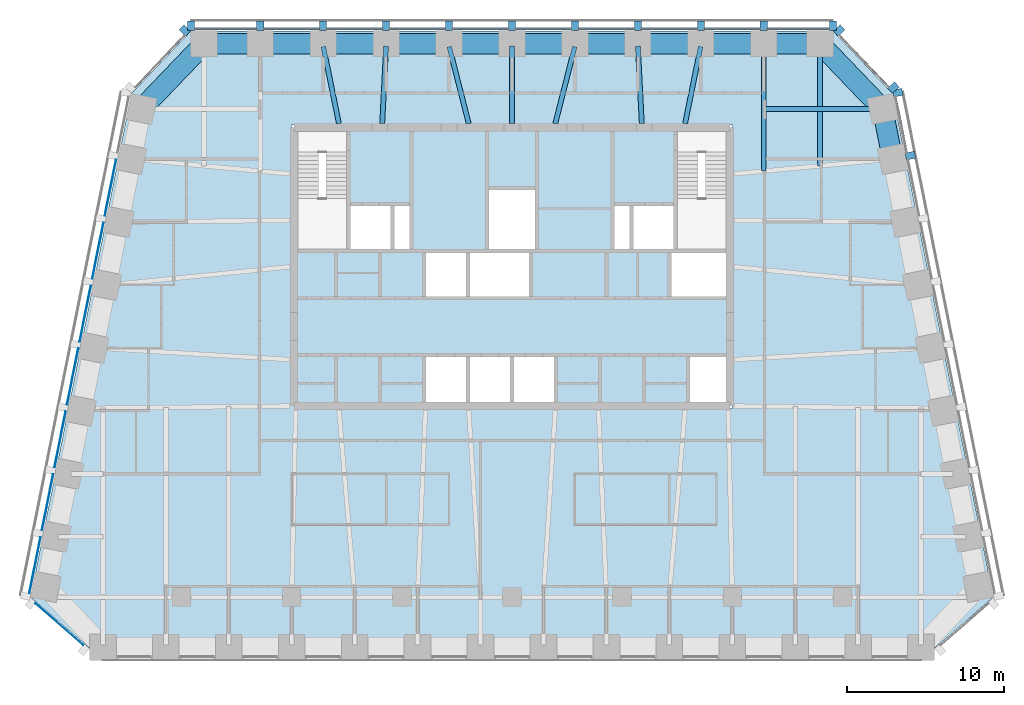
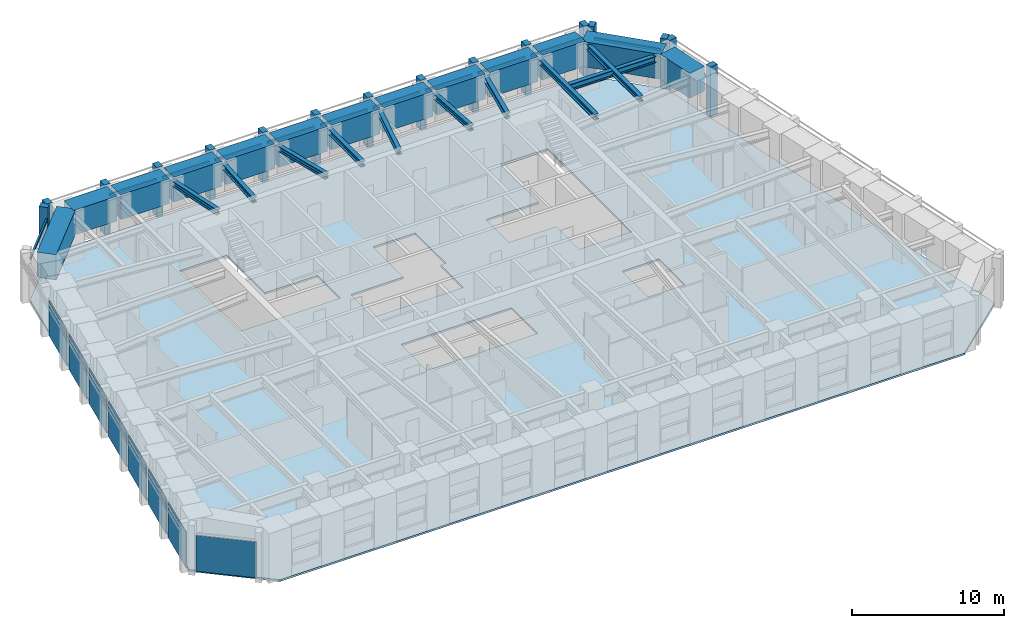
# One storey, part 3 of 11: 29 members, 23 beams, 8 plates, 1 slab, 6 elements without a shape of their own.
"""IFC4 building model written with IfcOpenShell, lengths in metres."""

from ifc_helpers import new_model, si_unit, direction, frame, origin, origin_2d, place, context, subcontext, project, spatial, polyline, rectangle, i_section, outline, extrude, material, layer, layer_set, material_profile, profile_set, type_object, element, aggregate, save


model = new_model("IFC4")

# Units and contexts
model_context = context("Model", 3, precision=1e-05, world=origin(), true_north=direction((0.0, 1.0)))
body_context = subcontext(model_context, "Body", "Model", "MODEL_VIEW")
ifc_project = project(units=[si_unit("LENGTHUNIT", "METRE"), si_unit("AREAUNIT", "SQUARE_METRE"), si_unit("VOLUMEUNIT", "CUBIC_METRE"), si_unit("PLANEANGLEUNIT", "RADIAN"), si_unit("MASSUNIT", "GRAM", prefix="KILO")], contexts=[model_context])

# Site, building, storey
site_placement = place(None, origin())
site = spatial("IfcSite", under=ifc_project, at=site_placement, CompositionType="ELEMENT")
building_placement = place(site_placement, origin())
building = spatial("IfcBuilding", under=site, at=building_placement, Name="Isbrekke Arena Tower", CompositionType="ELEMENT")
storey_placement = place(building_placement, frame((0.0, 0.0, 276.0)))
storey = spatial("IfcBuildingStorey", under=building, at=storey_placement, Name="L64", CompositionType="ELEMENT", Elevation=276.0)

# Beams
ifc_material_1 = material(Name="Steel S355", Category="steel")
ifc_material_profile_1 = material_profile(ifc_material_1, i_section(OverallWidth=0.305908203125, OverallDepth=0.52392578125, WebThickness=0.02099609375, FlangeThickness=0.0400390625, FilletRadius=0.027099609375, at=origin_2d()), Name="HEM 500")
ifc_profile_set_1 = profile_set([ifc_material_profile_1], Name="Steel S355")
beam_type_1 = type_object("IfcBeamType", Name="B5 HEM 500", PredefinedType="BEAM", material=ifc_profile_set_1)
beam_1_placement = place(storey_placement, frame((23.40283203125, 25.029296875, 3.587890625), z_axis=(-1.0, 0.0, 0.0), x_axis=(0.0, -1.0, 0.0)))
element("IfcBeam", 1, at=beam_1_placement, inside=storey, type_object=beam_type_1, Name="B5 beam E-E09 L64", PredefinedType="BEAM", context=body_context, shape_type="SweptSolid", body=[
    extrude(i_section(OverallWidth=0.305908203125, OverallDepth=0.52392578125, WebThickness=0.02099609375, FlangeThickness=0.0400390625, FilletRadius=0.027099609375, at=origin_2d()), origin(), (0.0, 0.0, 1.0), 7.40283203125),
])
ifc_material_2 = material(Name="Steel S355", Category="steel")
ifc_material_profile_2 = material_profile(ifc_material_2, i_section(OverallWidth=0.306884765625, OverallDepth=0.431884765625, WebThickness=0.02099609375, FlangeThickness=0.0400390625, FilletRadius=0.027099609375, at=origin_2d()), Name="HEM 400")
ifc_profile_set_2 = profile_set([ifc_material_profile_2], Name="Steel S355")
beam_type_2 = type_object("IfcBeamType", Name="B6 HEM 400", PredefinedType="BEAM", material=ifc_profile_set_2)
beam_2_placement = place(storey_placement, frame((19.574951171875, 29.02490234375, 3.634033203125), z_axis=(0.0, -1.0, 0.0), x_axis=(1.0, 0.0, 0.0)))
element("IfcBeam", 2, at=beam_2_placement, inside=storey, type_object=beam_type_2, Name="B6 beam N-N01 L64", PredefinedType="BEAM", context=body_context, shape_type="SweptSolid", body=[
    extrude(i_section(OverallWidth=0.306884765625, OverallDepth=0.431884765625, WebThickness=0.02099609375, FlangeThickness=0.0400390625, FilletRadius=0.027099609375, at=origin_2d()), origin(), (0.0, 0.0, 1.0), 7.608154296875),
])
beam_3_placement = place(storey_placement, frame((16.0, 29.02490234375, 3.634033203125), z_axis=(0.0, -1.0, 0.0), x_axis=(1.0, 0.0, 0.0)))
element("IfcBeam", 3, at=beam_3_placement, inside=storey, type_object=beam_type_2, Name="B6 beam N-N02 L64", PredefinedType="BEAM", context=body_context, shape_type="SweptSolid", body=[
    extrude(i_section(OverallWidth=0.306884765625, OverallDepth=0.431884765625, WebThickness=0.02099609375, FlangeThickness=0.0400390625, FilletRadius=0.027099609375, at=origin_2d()), origin(), (0.0, 0.0, 1.0), 7.945556640625),
])
beam_4_placement = place(storey_placement, frame((11.993896484375, 28.9951171875, 3.634033203125), z_axis=(-0.198982177337, -0.980003108721, 0.0), x_axis=(0.980003108721, -0.198982177337, 0.0)))
element("IfcBeam", 4, at=beam_4_placement, inside=storey, type_object=beam_type_2, Name="B6 beam N-N03 L64", PredefinedType="BEAM", context=body_context, shape_type="SweptSolid", body=[
    extrude(i_section(OverallWidth=0.306884765625, OverallDepth=0.431884765625, WebThickness=0.02099609375, FlangeThickness=0.0400390625, FilletRadius=0.027099609375, at=origin_2d()), origin(), (0.0, 0.0, 1.0), 4.994873046875),
])
beam_5_placement = place(storey_placement, frame((8.00048828125, 29.017333984375, 3.634033203125), z_axis=(0.050677067868, -0.998715091902, 0.0), x_axis=(0.998715091902, 0.050677067868, 0.0)))
element("IfcBeam", 5, at=beam_5_placement, inside=storey, type_object=beam_type_2, Name="B6 beam N-N04 L64", PredefinedType="BEAM", context=body_context, shape_type="SweptSolid", body=[
    extrude(i_section(OverallWidth=0.306884765625, OverallDepth=0.431884765625, WebThickness=0.02099609375, FlangeThickness=0.0400390625, FilletRadius=0.027099609375, at=origin_2d()), origin(), (0.0, 0.0, 1.0), 4.923583984375),
])
beam_6_placement = place(storey_placement, frame((3.99072265625, 28.98828125, 3.634033203125), z_axis=(-0.246019579109, -0.969264858898, 0.0), x_axis=(0.969264858898, -0.246019579109, 0.0)))
element("IfcBeam", 6, at=beam_6_placement, inside=storey, type_object=beam_type_2, Name="B6 beam N-N05 L64", PredefinedType="BEAM", context=body_context, shape_type="SweptSolid", body=[
    extrude(i_section(OverallWidth=0.306884765625, OverallDepth=0.431884765625, WebThickness=0.02099609375, FlangeThickness=0.0400390625, FilletRadius=0.027099609375, at=origin_2d()), origin(), (0.0, 0.0, 1.0), 5.043212890625),
])
beam_7_placement = place(storey_placement, frame((0.0, 29.02490234375, 3.634033203125), z_axis=(0.0, -1.0, 0.0), x_axis=(1.0, 0.0, 0.0)))
element("IfcBeam", 7, at=beam_7_placement, inside=storey, type_object=beam_type_2, Name="B6 beam N-N06 L64", PredefinedType="BEAM", context=body_context, shape_type="SweptSolid", body=[
    extrude(i_section(OverallWidth=0.306884765625, OverallDepth=0.431884765625, WebThickness=0.02099609375, FlangeThickness=0.0400390625, FilletRadius=0.027099609375, at=origin_2d()), origin(), (0.0, 0.0, 1.0), 4.9248046875),
])
beam_8_placement = place(storey_placement, frame((-3.99072265625, 28.98828125, 3.634033203125), z_axis=(0.246019579109, -0.969264858898, 0.0), x_axis=(0.969264858898, 0.246019579109, 0.0)))
element("IfcBeam", 8, at=beam_8_placement, inside=storey, type_object=beam_type_2, Name="B6 beam N-N07 L64", PredefinedType="BEAM", context=body_context, shape_type="SweptSolid", body=[
    extrude(i_section(OverallWidth=0.306884765625, OverallDepth=0.431884765625, WebThickness=0.02099609375, FlangeThickness=0.0400390625, FilletRadius=0.027099609375, at=origin_2d()), origin(), (0.0, 0.0, 1.0), 5.043212890625),
])
beam_9_placement = place(storey_placement, frame((-8.00048828125, 29.017333984375, 3.634033203125), z_axis=(-0.050677067868, -0.998715091902, 0.0), x_axis=(0.998715091902, -0.050677067868, 0.0)))
element("IfcBeam", 9, at=beam_9_placement, inside=storey, type_object=beam_type_2, Name="B6 beam N-N08 L64", PredefinedType="BEAM", context=body_context, shape_type="SweptSolid", body=[
    extrude(i_section(OverallWidth=0.306884765625, OverallDepth=0.431884765625, WebThickness=0.02099609375, FlangeThickness=0.0400390625, FilletRadius=0.027099609375, at=origin_2d()), origin(), (0.0, 0.0, 1.0), 4.923583984375),
])
beam_10_placement = place(storey_placement, frame((-11.993896484375, 28.9951171875, 3.634033203125), z_axis=(0.198982177337, -0.980003108721, 0.0), x_axis=(0.980003108721, 0.198982177337, 0.0)))
element("IfcBeam", 10, at=beam_10_placement, inside=storey, type_object=beam_type_2, Name="B6 beam N-N09 L64", PredefinedType="BEAM", context=body_context, shape_type="SweptSolid", body=[
    extrude(i_section(OverallWidth=0.306884765625, OverallDepth=0.431884765625, WebThickness=0.02099609375, FlangeThickness=0.0400390625, FilletRadius=0.027099609375, at=origin_2d()), origin(), (0.0, 0.0, 1.0), 4.994873046875),
])

# Curtain wall, members
ifc_material_3 = material(Name="Glazed aluminium curtain wall", Category="aluminium")
curtain_wall_type = type_object("IfcCurtainWallType", Name="CWT TOWER CURTAIN WALL TOP ZONE", PredefinedType="USERDEFINED", material=ifc_material_3)
curtain_wall_1_placement = place(storey_placement, origin())
curtain_wall_1 = element("IfcCurtainWall", 11, at=curtain_wall_1_placement, inside=storey, type_object=curtain_wall_type, Name="CWT curtain wall L64-E", ObjectType="TOWER CURTAIN WALL TOP ZONE", PredefinedType="USERDEFINED")
ifc_material_4 = material(Name="Copper-clad aluminium mullion", Category="aluminium")
ifc_material_profile_3 = material_profile(ifc_material_4, rectangle(XDim=0.449951171875, YDim=0.60009765625, at=origin_2d()), Name="PIER 450X600")
ifc_profile_set_3 = profile_set([ifc_material_profile_3], Name="Copper-clad aluminium mullion")
member_type_1 = type_object("IfcMemberType", Name="CWT-M PIER MULLION 450 x 600", PredefinedType="MULLION", material=ifc_profile_set_3)
member_1_placement = place(storey_placement, frame((25.318603515625, 22.063720703125, 0.0), z_axis=(0.0, 0.0, 1.0), x_axis=(-0.196116135138, 0.980580675691, 0.0)))
member_1 = element("IfcMember", 12, at=member_1_placement, type_object=member_type_1, Name="CWT-M mullion 8", PredefinedType="MULLION", context=body_context, shape_type="SweptSolid", body=[
    extrude(rectangle(XDim=0.449951171875, YDim=0.60009765625, at=origin_2d()), origin(), (0.0, 0.0, 1.0), 4.0),
])
member_2_placement = place(storey_placement, frame((24.518798828125, 26.063720703125, 0.0), z_axis=(0.0, 0.0, 1.0), x_axis=(-0.196116135138, 0.980580675691, 0.0)))
member_2 = element("IfcMember", 13, at=member_2_placement, type_object=member_type_1, Name="CWT-M mullion 9", PredefinedType="MULLION", context=body_context, shape_type="SweptSolid", body=[
    extrude(rectangle(XDim=0.449951171875, YDim=0.60009765625, at=origin_2d()), origin(), (0.0, 0.0, 1.0), 4.0),
])

curtain_wall_2_placement = place(storey_placement, origin())
curtain_wall_2 = element("IfcCurtainWall", 14, at=curtain_wall_2_placement, inside=storey, type_object=curtain_wall_type, Name="CWT curtain wall L64-EN", ObjectType="TOWER CURTAIN WALL TOP ZONE", PredefinedType="USERDEFINED")
member_3_placement = place(storey_placement, frame((24.244384765625, 26.388671875, 0.0), z_axis=(0.0, 0.0, 1.0), x_axis=(-0.68874946192, 0.72499943359, 0.0)))
member_3 = element("IfcMember", 15, at=member_3_placement, type_object=member_type_1, Name="CWT-M mullion 1", PredefinedType="MULLION", context=body_context, shape_type="SweptSolid", body=[
    extrude(rectangle(XDim=0.449951171875, YDim=0.60009765625, at=origin_2d()), origin(), (0.0, 0.0, 1.0), 4.0),
])
member_4_placement = place(storey_placement, frame((20.795166015625, 30.019775390625, 0.0), z_axis=(0.0, 0.0, 1.0), x_axis=(-0.68874946192, 0.72499943359, 0.0)))
member_4 = element("IfcMember", 16, at=member_4_placement, type_object=member_type_1, Name="CWT-M mullion 2", PredefinedType="MULLION", context=body_context, shape_type="SweptSolid", body=[
    extrude(rectangle(XDim=0.449951171875, YDim=0.60009765625, at=origin_2d()), origin(), (0.0, 0.0, 1.0), 4.0),
])

curtain_wall_3_placement = place(storey_placement, origin())
curtain_wall_3 = element("IfcCurtainWall", 17, at=curtain_wall_3_placement, inside=storey, type_object=curtain_wall_type, Name="CWT curtain wall L64-N", ObjectType="TOWER CURTAIN WALL TOP ZONE", PredefinedType="USERDEFINED")
member_5_placement = place(storey_placement, frame((20.39990234375, 30.324951171875, 0.0), z_axis=(0.0, 0.0, 1.0), x_axis=(-1.0, 0.0, 0.0)))
member_5 = element("IfcMember", 18, at=member_5_placement, type_object=member_type_1, Name="CWT-M mullion 1", PredefinedType="MULLION", context=body_context, shape_type="SweptSolid", body=[
    extrude(rectangle(XDim=0.449951171875, YDim=0.60009765625, at=origin_2d()), origin(), (0.0, 0.0, 1.0), 4.0),
])
member_6_placement = place(storey_placement, frame((16.0, 30.324951171875, 0.0), z_axis=(0.0, 0.0, 1.0), x_axis=(-1.0, 0.0, 0.0)))
member_6 = element("IfcMember", 19, at=member_6_placement, type_object=member_type_1, Name="CWT-M mullion 2", PredefinedType="MULLION", context=body_context, shape_type="SweptSolid", body=[
    extrude(rectangle(XDim=0.449951171875, YDim=0.60009765625, at=origin_2d()), origin(), (0.0, 0.0, 1.0), 4.0),
])
member_7_placement = place(storey_placement, frame((12.0, 30.324951171875, 0.0), z_axis=(0.0, 0.0, 1.0), x_axis=(-1.0, 0.0, 0.0)))
member_7 = element("IfcMember", 20, at=member_7_placement, type_object=member_type_1, Name="CWT-M mullion 3", PredefinedType="MULLION", context=body_context, shape_type="SweptSolid", body=[
    extrude(rectangle(XDim=0.449951171875, YDim=0.60009765625, at=origin_2d()), origin(), (0.0, 0.0, 1.0), 4.0),
])
member_8_placement = place(storey_placement, frame((8.0, 30.324951171875, 0.0), z_axis=(0.0, 0.0, 1.0), x_axis=(-1.0, 0.0, 0.0)))
member_8 = element("IfcMember", 21, at=member_8_placement, type_object=member_type_1, Name="CWT-M mullion 4", PredefinedType="MULLION", context=body_context, shape_type="SweptSolid", body=[
    extrude(rectangle(XDim=0.449951171875, YDim=0.60009765625, at=origin_2d()), origin(), (0.0, 0.0, 1.0), 4.0),
])
member_9_placement = place(storey_placement, frame((4.0, 30.324951171875, 0.0), z_axis=(0.0, 0.0, 1.0), x_axis=(-1.0, 0.0, 0.0)))
member_9 = element("IfcMember", 22, at=member_9_placement, type_object=member_type_1, Name="CWT-M mullion 5", PredefinedType="MULLION", context=body_context, shape_type="SweptSolid", body=[
    extrude(rectangle(XDim=0.449951171875, YDim=0.60009765625, at=origin_2d()), origin(), (0.0, 0.0, 1.0), 4.0),
])
member_10_placement = place(storey_placement, frame((0.0, 30.324951171875, 0.0), z_axis=(0.0, 0.0, 1.0), x_axis=(-1.0, 0.0, 0.0)))
member_10 = element("IfcMember", 23, at=member_10_placement, type_object=member_type_1, Name="CWT-M mullion 6", PredefinedType="MULLION", context=body_context, shape_type="SweptSolid", body=[
    extrude(rectangle(XDim=0.449951171875, YDim=0.60009765625, at=origin_2d()), origin(), (0.0, 0.0, 1.0), 4.0),
])
member_11_placement = place(storey_placement, frame((-4.0, 30.324951171875, 0.0), z_axis=(0.0, 0.0, 1.0), x_axis=(-1.0, 0.0, 0.0)))
member_11 = element("IfcMember", 24, at=member_11_placement, type_object=member_type_1, Name="CWT-M mullion 7", PredefinedType="MULLION", context=body_context, shape_type="SweptSolid", body=[
    extrude(rectangle(XDim=0.449951171875, YDim=0.60009765625, at=origin_2d()), origin(), (0.0, 0.0, 1.0), 4.0),
])
member_12_placement = place(storey_placement, frame((-8.0, 30.324951171875, 0.0), z_axis=(0.0, 0.0, 1.0), x_axis=(-1.0, 0.0, 0.0)))
member_12 = element("IfcMember", 25, at=member_12_placement, type_object=member_type_1, Name="CWT-M mullion 8", PredefinedType="MULLION", context=body_context, shape_type="SweptSolid", body=[
    extrude(rectangle(XDim=0.449951171875, YDim=0.60009765625, at=origin_2d()), origin(), (0.0, 0.0, 1.0), 4.0),
])
member_13_placement = place(storey_placement, frame((-12.0, 30.324951171875, 0.0), z_axis=(0.0, 0.0, 1.0), x_axis=(-1.0, 0.0, 0.0)))
member_13 = element("IfcMember", 26, at=member_13_placement, type_object=member_type_1, Name="CWT-M mullion 9", PredefinedType="MULLION", context=body_context, shape_type="SweptSolid", body=[
    extrude(rectangle(XDim=0.449951171875, YDim=0.60009765625, at=origin_2d()), origin(), (0.0, 0.0, 1.0), 4.0),
])
member_14_placement = place(storey_placement, frame((-16.0, 30.324951171875, 0.0), z_axis=(0.0, 0.0, 1.0), x_axis=(-1.0, 0.0, 0.0)))
member_14 = element("IfcMember", 27, at=member_14_placement, type_object=member_type_1, Name="CWT-M mullion 10", PredefinedType="MULLION", context=body_context, shape_type="SweptSolid", body=[
    extrude(rectangle(XDim=0.449951171875, YDim=0.60009765625, at=origin_2d()), origin(), (0.0, 0.0, 1.0), 4.0),
])
member_15_placement = place(storey_placement, frame((-20.39990234375, 30.324951171875, 0.0), z_axis=(0.0, 0.0, 1.0), x_axis=(-1.0, 0.0, 0.0)))
member_15 = element("IfcMember", 28, at=member_15_placement, type_object=member_type_1, Name="CWT-M mullion 11", PredefinedType="MULLION", context=body_context, shape_type="SweptSolid", body=[
    extrude(rectangle(XDim=0.449951171875, YDim=0.60009765625, at=origin_2d()), origin(), (0.0, 0.0, 1.0), 4.0),
])

# Curtain wall, member
curtain_wall_4_placement = place(storey_placement, origin())
curtain_wall_4 = element("IfcCurtainWall", 29, at=curtain_wall_4_placement, inside=storey, type_object=curtain_wall_type, Name="CWT curtain wall L64-NW", ObjectType="TOWER CURTAIN WALL TOP ZONE", PredefinedType="USERDEFINED")
member_16_placement = place(storey_placement, frame((-20.795166015625, 30.01953125, 0.0), z_axis=(0.0, 0.0, 1.0), x_axis=(-0.68874946192, -0.72499943359, 0.0)))
member_16 = element("IfcMember", 30, at=member_16_placement, type_object=member_type_1, Name="CWT-M mullion 1", PredefinedType="MULLION", context=body_context, shape_type="SweptSolid", body=[
    extrude(rectangle(XDim=0.449951171875, YDim=0.60009765625, at=origin_2d()), origin(), (0.0, 0.0, 1.0), 4.0),
])

# Member
ifc_material_5 = material(Name="Aluminium transom", Category="aluminium")
ifc_material_profile_4 = material_profile(ifc_material_5, rectangle(XDim=0.1201171875, YDim=0.199951171875, at=origin_2d()), Name="TRANSOM 120X200")
ifc_profile_set_4 = profile_set([ifc_material_profile_4], Name="Aluminium transom")
member_type_2 = type_object("IfcMemberType", Name="CWT-T TRANSOM 120 x 200", PredefinedType="USERDEFINED", material=ifc_profile_set_4)
member_17_placement = place(storey_placement, frame((25.078369140625, 22.2451171875, 3.0), z_axis=(-0.196090262229, 0.980585849918, 0.0), x_axis=(-0.980585849918, -0.196090262229, 0.0)))
member_17 = element("IfcMember", 31, at=member_17_placement, type_object=member_type_2, Name="CWT-T transom 8", ObjectType="TRANSOM", PredefinedType="USERDEFINED", context=body_context, shape_type="SweptSolid", body=[
    extrude(rectangle(XDim=0.1201171875, YDim=0.199951171875, at=origin_2d()), origin(), (0.0, 0.0, 1.0), 3.62939453125),
])

aggregate(curtain_wall_1, [member_1, member_2, member_17])

member_18_placement = place(storey_placement, frame((23.944580078125, 26.4140625, 3.0), z_axis=(-0.688771983213, 0.724978037696, 0.0), x_axis=(-0.724978037696, -0.688771983213, 0.0)))
member_18 = element("IfcMember", 32, at=member_18_placement, type_object=member_type_2, Name="CWT-T transom 1", ObjectType="TRANSOM", PredefinedType="USERDEFINED", context=body_context, shape_type="SweptSolid", body=[
    extrude(rectangle(XDim=0.1201171875, YDim=0.199951171875, at=origin_2d()), origin(), (0.0, 0.0, 1.0), 4.558349609375),
])

aggregate(curtain_wall_2, [member_3, member_4, member_18])

member_19_placement = place(storey_placement, frame((20.175048828125, 30.125, 3.0), z_axis=(-1.0, 0.0, 0.0), x_axis=(0.0, -1.0, 0.0)))
member_19 = element("IfcMember", 33, at=member_19_placement, type_object=member_type_2, Name="CWT-T transom 1", ObjectType="TRANSOM", PredefinedType="USERDEFINED", context=body_context, shape_type="SweptSolid", body=[
    extrude(rectangle(XDim=0.1201171875, YDim=0.199951171875, at=origin_2d()), origin(), (0.0, 0.0, 1.0), 3.949951171875),
])

member_20_placement = place(storey_placement, frame((15.77490234375, 30.125, 3.0), z_axis=(-1.0, 0.0, 0.0), x_axis=(0.0, -1.0, 0.0)))
member_20 = element("IfcMember", 34, at=member_20_placement, type_object=member_type_2, Name="CWT-T transom 2", ObjectType="TRANSOM", PredefinedType="USERDEFINED", context=body_context, shape_type="SweptSolid", body=[
    extrude(rectangle(XDim=0.1201171875, YDim=0.199951171875, at=origin_2d()), origin(), (0.0, 0.0, 1.0), 3.5498046875),
])

member_21_placement = place(storey_placement, frame((11.77490234375, 30.125, 3.0), z_axis=(-1.0, 0.0, 0.0), x_axis=(0.0, -1.0, 0.0)))
member_21 = element("IfcMember", 35, at=member_21_placement, type_object=member_type_2, Name="CWT-T transom 3", ObjectType="TRANSOM", PredefinedType="USERDEFINED", context=body_context, shape_type="SweptSolid", body=[
    extrude(rectangle(XDim=0.1201171875, YDim=0.199951171875, at=origin_2d()), origin(), (0.0, 0.0, 1.0), 3.5498046875),
])

member_22_placement = place(storey_placement, frame((7.77490234375, 30.125, 3.0), z_axis=(-1.0, 0.0, 0.0), x_axis=(0.0, -1.0, 0.0)))
member_22 = element("IfcMember", 36, at=member_22_placement, type_object=member_type_2, Name="CWT-T transom 4", ObjectType="TRANSOM", PredefinedType="USERDEFINED", context=body_context, shape_type="SweptSolid", body=[
    extrude(rectangle(XDim=0.1201171875, YDim=0.199951171875, at=origin_2d()), origin(), (0.0, 0.0, 1.0), 3.5498046875),
])

member_23_placement = place(storey_placement, frame((3.77490234375, 30.125, 3.0), z_axis=(-1.0, 0.0, 0.0), x_axis=(0.0, -1.0, 0.0)))
member_23 = element("IfcMember", 37, at=member_23_placement, type_object=member_type_2, Name="CWT-T transom 5", ObjectType="TRANSOM", PredefinedType="USERDEFINED", context=body_context, shape_type="SweptSolid", body=[
    extrude(rectangle(XDim=0.1201171875, YDim=0.199951171875, at=origin_2d()), origin(), (0.0, 0.0, 1.0), 3.5498046875),
])

member_24_placement = place(storey_placement, frame((-0.22509765625, 30.125, 3.0), z_axis=(-1.0, 0.0, 0.0), x_axis=(0.0, -1.0, 0.0)))
member_24 = element("IfcMember", 38, at=member_24_placement, type_object=member_type_2, Name="CWT-T transom 6", ObjectType="TRANSOM", PredefinedType="USERDEFINED", context=body_context, shape_type="SweptSolid", body=[
    extrude(rectangle(XDim=0.1201171875, YDim=0.199951171875, at=origin_2d()), origin(), (0.0, 0.0, 1.0), 3.5498046875),
])

member_25_placement = place(storey_placement, frame((-4.22509765625, 30.125, 3.0), z_axis=(-1.0, 0.0, 0.0), x_axis=(0.0, -1.0, 0.0)))
member_25 = element("IfcMember", 39, at=member_25_placement, type_object=member_type_2, Name="CWT-T transom 7", ObjectType="TRANSOM", PredefinedType="USERDEFINED", context=body_context, shape_type="SweptSolid", body=[
    extrude(rectangle(XDim=0.1201171875, YDim=0.199951171875, at=origin_2d()), origin(), (0.0, 0.0, 1.0), 3.5498046875),
])

member_26_placement = place(storey_placement, frame((-8.22509765625, 30.125, 3.0), z_axis=(-1.0, 0.0, 0.0), x_axis=(0.0, -1.0, 0.0)))
member_26 = element("IfcMember", 40, at=member_26_placement, type_object=member_type_2, Name="CWT-T transom 8", ObjectType="TRANSOM", PredefinedType="USERDEFINED", context=body_context, shape_type="SweptSolid", body=[
    extrude(rectangle(XDim=0.1201171875, YDim=0.199951171875, at=origin_2d()), origin(), (0.0, 0.0, 1.0), 3.5498046875),
])

member_27_placement = place(storey_placement, frame((-12.22509765625, 30.125, 3.0), z_axis=(-1.0, 0.0, 0.0), x_axis=(0.0, -1.0, 0.0)))
member_27 = element("IfcMember", 41, at=member_27_placement, type_object=member_type_2, Name="CWT-T transom 9", ObjectType="TRANSOM", PredefinedType="USERDEFINED", context=body_context, shape_type="SweptSolid", body=[
    extrude(rectangle(XDim=0.1201171875, YDim=0.199951171875, at=origin_2d()), origin(), (0.0, 0.0, 1.0), 3.5498046875),
])

member_28_placement = place(storey_placement, frame((-16.22509765625, 30.125, 3.0), z_axis=(-1.0, 0.0, 0.0), x_axis=(0.0, -1.0, 0.0)))
member_28 = element("IfcMember", 42, at=member_28_placement, type_object=member_type_2, Name="CWT-T transom 10", ObjectType="TRANSOM", PredefinedType="USERDEFINED", context=body_context, shape_type="SweptSolid", body=[
    extrude(rectangle(XDim=0.1201171875, YDim=0.199951171875, at=origin_2d()), origin(), (0.0, 0.0, 1.0), 3.949951171875),
])

aggregate(curtain_wall_3, [member_5, member_6, member_7, member_8, member_9, member_10, member_11, member_12, member_13, member_14, member_15, member_19, member_20, member_21, member_22, member_23, member_24, member_25, member_26, member_27, member_28])

member_29_placement = place(storey_placement, frame((-20.80517578125, 29.71875, 3.0), z_axis=(-0.688739606035, -0.725008796552, 0.0), x_axis=(0.725008796552, -0.688739606035, 0.0)))
member_29 = element("IfcMember", 43, at=member_29_placement, type_object=member_type_2, Name="CWT-T transom 1", ObjectType="TRANSOM", PredefinedType="USERDEFINED", context=body_context, shape_type="SweptSolid", body=[
    extrude(rectangle(XDim=0.1201171875, YDim=0.199951171875, at=origin_2d()), origin(), (0.0, 0.0, 1.0), 4.55712890625),
])

aggregate(curtain_wall_4, [member_16, member_29])

# Beams
ifc_material_6 = material(Name="Concrete B55 (C55/67)", Category="concrete")
ifc_material_profile_5 = material_profile(ifc_material_6, rectangle(XDim=1.300048828125, YDim=2.0, at=origin_2d()), Name="RC 1300x2000")
ifc_profile_set_5 = profile_set([ifc_material_profile_5], Name="Concrete B55 (C55/67)")
beam_type_3 = type_object("IfcBeamType", Name="SB4 RC 1300 x 2000", PredefinedType="SPANDREL", material=ifc_profile_set_5)
beam_11_placement = place(storey_placement, frame((24.16162109375, 21.9853515625, 3.0), z_axis=(-0.196116135138, 0.980580675691, 0.0), x_axis=(-0.980580675691, -0.196116135138, 0.0)))
element("IfcBeam", 44, at=beam_11_placement, inside=storey, type_object=beam_type_3, Name="SB4 spandrel E08-E09 L64", PredefinedType="SPANDREL", context=body_context, shape_type="SweptSolid", body=[
    extrude(rectangle(XDim=1.300048828125, YDim=2.0, at=origin_2d()), origin(), (0.0, 0.0, 1.0), 2.9541015625),
])
beam_12_placement = place(storey_placement, frame((23.448974609375, 25.137451171875, 3.0), z_axis=(-0.692339547635, 0.721571861134, 0.0), x_axis=(-0.721571861134, -0.692339547635, 0.0)))
element("IfcBeam", 45, at=beam_12_placement, inside=storey, type_object=beam_type_3, Name="SB4 spandrel E09-N01 L64", PredefinedType="SPANDREL", context=body_context, shape_type="SweptSolid", body=[
    extrude(rectangle(XDim=1.300048828125, YDim=2.0, at=origin_2d()), origin(), (0.0, 0.0, 1.0), 5.4453125),
])
beam_13_placement = place(storey_placement, frame((19.425048828125, 29.175048828125, 3.0), z_axis=(-1.0, 0.0, 0.0), x_axis=(0.0, -1.0, 0.0)))
element("IfcBeam", 46, at=beam_13_placement, inside=storey, type_object=beam_type_3, Name="SB4 spandrel N01-N02 L64", PredefinedType="SPANDREL", context=body_context, shape_type="SweptSolid", body=[
    extrude(rectangle(XDim=1.300048828125, YDim=2.0, at=origin_2d()), origin(), (0.0, 0.0, 1.0), 3.275146484375),
])
for number, where, z_axis, x_axis, name in (
    (47, (15.85009765625, 29.175048828125, 3.0), (-1.0, 0.0, 0.0), (0.0, -1.0, 0.0), "SB4 spandrel N02-N03 L64"),
    (48, (11.85009765625, 29.175048828125, 3.0), (-1.0, 0.0, 0.0), (0.0, -1.0, 0.0), "SB4 spandrel N03-N04 L64"),
    (49, (7.85009765625, 29.175048828125, 3.0), (-1.0, 0.0, 0.0), (0.0, -1.0, 0.0), "SB4 spandrel N04-N05 L64"),
    (50, (3.85009765625, 29.175048828125, 3.0), (-1.0, 0.0, 0.0), (0.0, -1.0, 0.0), "SB4 spandrel N05-N06 L64"),
    (51, (-0.14990234375, 29.175048828125, 3.0), (-1.0, 0.0, 0.0), (0.0, -1.0, 0.0), "SB4 spandrel N06-N07 L64"),
    (52, (-4.14990234375, 29.175048828125, 3.0), (-1.0, 0.0, 0.0), (0.0, -1.0, 0.0), "SB4 spandrel N07-N08 L64"),
    (53, (-8.14990234375, 29.175048828125, 3.0), (-1.0, 0.0, 0.0), (0.0, -1.0, 0.0), "SB4 spandrel N08-N09 L64"),
    (54, (-12.14990234375, 29.175048828125, 3.0), (-1.0, 0.0, 0.0), (0.0, -1.0, 0.0), "SB4 spandrel N09-N10 L64"),
):
    element("IfcBeam", number, at=place(storey_placement, frame(where, z_axis=z_axis, x_axis=x_axis)), inside=storey, type_object=beam_type_3, Name=name, PredefinedType="SPANDREL", context=body_context, shape_type="SweptSolid", body=[
        extrude(rectangle(XDim=1.300048828125, YDim=2.0, at=origin_2d()), origin(), (0.0, 0.0, 1.0), 3.7001953125),
    ])
beam_14_placement = place(storey_placement, frame((-16.14990234375, 29.175048828125, 3.0), z_axis=(-1.0, 0.0, 0.0), x_axis=(0.0, -1.0, 0.0)))
element("IfcBeam", 55, at=beam_14_placement, inside=storey, type_object=beam_type_3, Name="SB4 spandrel N10-N11 L64", PredefinedType="SPANDREL", context=body_context, shape_type="SweptSolid", body=[
    extrude(rectangle(XDim=1.300048828125, YDim=2.0, at=origin_2d()), origin(), (0.0, 0.0, 1.0), 3.275146484375),
])
beam_15_placement = place(storey_placement, frame((-19.678955078125, 29.066650390625, 3.0), z_axis=(-0.692339547635, -0.721571861134, 0.0), x_axis=(0.721571861134, -0.692339547635, 0.0)))
element("IfcBeam", 56, at=beam_15_placement, inside=storey, type_object=beam_type_3, Name="SB4 spandrel N11-W01 L64", PredefinedType="SPANDREL", context=body_context, shape_type="SweptSolid", body=[
    extrude(rectangle(XDim=1.300048828125, YDim=2.0, at=origin_2d()), origin(), (0.0, 0.0, 1.0), 5.4453125),
])

# Curtain wall, plates
curtain_wall_5_placement = place(storey_placement, origin())
curtain_wall_5 = element("IfcCurtainWall", 57, at=curtain_wall_5_placement, inside=storey, type_object=curtain_wall_type, Name="CWT curtain wall L64-W", ObjectType="TOWER CURTAIN WALL TOP ZONE", PredefinedType="USERDEFINED")
ifc_material_7 = material(Name="Triple-glazed clear glass unit", Category="glass")
ifc_layer_1 = layer(ifc_material_7, 0.031982421875)
ifc_layer_set_1 = layer_set([ifc_layer_1], Name="CWT-P VISION PANEL")
plate_type = type_object("IfcPlateType", Name="CWT-P VISION PANEL", PredefinedType="CURTAIN_PANEL", material=ifc_layer_set_1)
plate_1_placement = place(storey_placement, frame((-25.5224609375, 20.0244140625, 0.02001953125), z_axis=(0.0, 0.0, 1.0), x_axis=(-0.196116135138, -0.980580675691, 0.0)))
plate_1 = element("IfcPlate", 58, at=plate_1_placement, type_object=plate_type, Name="CWT-P panel 2", PredefinedType="CURTAIN_PANEL", context=body_context, shape_type="SweptSolid", body=[
    extrude(rectangle(XDim=3.629150390625, YDim=0.031982421875, at=origin_2d()), origin(), (0.0, 0.0, 1.0), 2.8798828125),
])
plate_2_placement = place(storey_placement, frame((-26.322509765625, 16.0244140625, 0.02001953125), z_axis=(0.0, 0.0, 1.0), x_axis=(-0.196116135138, -0.980580675691, 0.0)))
plate_2 = element("IfcPlate", 59, at=plate_2_placement, type_object=plate_type, Name="CWT-P panel 3", PredefinedType="CURTAIN_PANEL", context=body_context, shape_type="SweptSolid", body=[
    extrude(rectangle(XDim=3.629150390625, YDim=0.031982421875, at=origin_2d()), origin(), (0.0, 0.0, 1.0), 2.8798828125),
])
plate_3_placement = place(storey_placement, frame((-27.12255859375, 12.0244140625, 0.02001953125), z_axis=(0.0, 0.0, 1.0), x_axis=(-0.196116135138, -0.980580675691, 0.0)))
plate_3 = element("IfcPlate", 60, at=plate_3_placement, type_object=plate_type, Name="CWT-P panel 4", PredefinedType="CURTAIN_PANEL", context=body_context, shape_type="SweptSolid", body=[
    extrude(rectangle(XDim=3.629150390625, YDim=0.031982421875, at=origin_2d()), origin(), (0.0, 0.0, 1.0), 2.8798828125),
])
plate_4_placement = place(storey_placement, frame((-27.922607421875, 8.0244140625, 0.02001953125), z_axis=(0.0, 0.0, 1.0), x_axis=(-0.196116135138, -0.980580675691, 0.0)))
plate_4 = element("IfcPlate", 61, at=plate_4_placement, type_object=plate_type, Name="CWT-P panel 5", PredefinedType="CURTAIN_PANEL", context=body_context, shape_type="SweptSolid", body=[
    extrude(rectangle(XDim=3.629150390625, YDim=0.031982421875, at=origin_2d()), origin(), (0.0, 0.0, 1.0), 2.8798828125),
])
plate_5_placement = place(storey_placement, frame((-28.72265625, 4.0244140625, 0.02001953125), z_axis=(0.0, 0.0, 1.0), x_axis=(-0.196116135138, -0.980580675691, 0.0)))
plate_5 = element("IfcPlate", 62, at=plate_5_placement, type_object=plate_type, Name="CWT-P panel 6", PredefinedType="CURTAIN_PANEL", context=body_context, shape_type="SweptSolid", body=[
    extrude(rectangle(XDim=3.629150390625, YDim=0.031982421875, at=origin_2d()), origin(), (0.0, 0.0, 1.0), 2.8798828125),
])
plate_6_placement = place(storey_placement, frame((-29.5224609375, 0.0244140625, 0.02001953125), z_axis=(0.0, 0.0, 1.0), x_axis=(-0.196116135138, -0.980580675691, 0.0)))
plate_6 = element("IfcPlate", 63, at=plate_6_placement, type_object=plate_type, Name="CWT-P panel 7", PredefinedType="CURTAIN_PANEL", context=body_context, shape_type="SweptSolid", body=[
    extrude(rectangle(XDim=3.629150390625, YDim=0.031982421875, at=origin_2d()), origin(), (0.0, 0.0, 1.0), 2.8798828125),
])
plate_7_placement = place(storey_placement, frame((-30.322509765625, -3.9755859375, 0.02001953125), z_axis=(0.0, 0.0, 1.0), x_axis=(-0.196116135138, -0.980580675691, 0.0)))
plate_7 = element("IfcPlate", 64, at=plate_7_placement, type_object=plate_type, Name="CWT-P panel 8", PredefinedType="CURTAIN_PANEL", context=body_context, shape_type="SweptSolid", body=[
    extrude(rectangle(XDim=3.629150390625, YDim=0.031982421875, at=origin_2d()), origin(), (0.0, 0.0, 1.0), 2.8798828125),
])
aggregate(curtain_wall_5, [plate_1, plate_2, plate_3, plate_4, plate_5, plate_6, plate_7])

# Curtain wall, plate
curtain_wall_6_placement = place(storey_placement, origin())
curtain_wall_6 = element("IfcCurtainWall", 65, at=curtain_wall_6_placement, inside=storey, type_object=curtain_wall_type, Name="CWT curtain wall L64-WS", ObjectType="TOWER CURTAIN WALL TOP ZONE", PredefinedType="USERDEFINED")
plate_8_placement = place(storey_placement, frame((-28.772216796875, -7.721923828125, 0.02001953125), z_axis=(0.0, 0.0, 1.0), x_axis=(0.754605522159, -0.65617871493, 0.0)))
plate_8 = element("IfcPlate", 66, at=plate_8_placement, type_object=plate_type, Name="CWT-P panel 1", PredefinedType="CURTAIN_PANEL", context=body_context, shape_type="SweptSolid", body=[
    extrude(rectangle(XDim=4.0263671875, YDim=0.031982421875, at=origin_2d()), origin(), (0.0, 0.0, 1.0), 2.8798828125),
])
aggregate(curtain_wall_6, [plate_8])

# Slab
ifc_material_8 = material(Name="Concrete B35 (C35/45)", Category="concrete")
ifc_layer_2 = layer(ifc_material_8, 0.14990234375)
ifc_layer_set_2 = layer_set([ifc_layer_2], Name="FS1 COMPOSITE FLOOR 150")
slab_type = type_object("IfcSlabType", Name="FS1 COMPOSITE FLOOR 150", PredefinedType="FLOOR", material=ifc_layer_set_2)
slab_placement = place(storey_placement, frame((0.0, 0.0, -0.14990234375)))
element("IfcSlab", 67, at=slab_placement, inside=storey, type_object=slab_type, Name="FS1 floor slab L64", PredefinedType="FLOOR", context=body_context, shape_type="SweptSolid", body=[
    extrude(outline(polyline([(-26.0, -10.0), (26.0, -10.0), (30.60009765625, -6.0), (24.199951171875, 26.0), (20.39990234375, 30.0), (-20.39990234375, 30.0), (-24.199951171875, 26.0), (-30.60009765625, -6.0), (-26.0, -10.0)]), holes=[polyline([(2.800048828125, 9.39990234375), (2.800048828125, 6.0), (-5.60009765625, 6.0), (-5.60009765625, 9.39990234375), (2.800048828125, 9.39990234375)]), polyline([(11.199951171875, 6.0), (11.199951171875, 9.39990234375), (14.0, 9.39990234375), (14.0, 6.0), (11.199951171875, 6.0)]), polyline([(-5.60009765625, 13.0), (-5.60009765625, 16.0), (-1.60009765625, 16.0), (-1.60009765625, 20.0), (1.60009765625, 20.0), (1.60009765625, 16.0), (1.199951171875, 16.0), (1.199951171875, 13.0), (-5.60009765625, 13.0)]), polyline([(14.0, 13.0), (10.0, 13.0), (10.0, 16.0), (6.39990234375, 16.0), (6.39990234375, 19.0), (10.39990234375, 19.0), (10.39990234375, 24.0), (14.0, 24.0), (14.0, 13.0)]), polyline([(-6.39990234375, 19.0), (-6.39990234375, 16.0), (-14.0, 16.0), (-14.0, 24.0), (-10.39990234375, 24.0), (-10.39990234375, 19.0), (-6.39990234375, 19.0)])]), origin(), (0.0, 0.0, 1.0), 0.14990234375),
])

save(model, "model.ifc")
